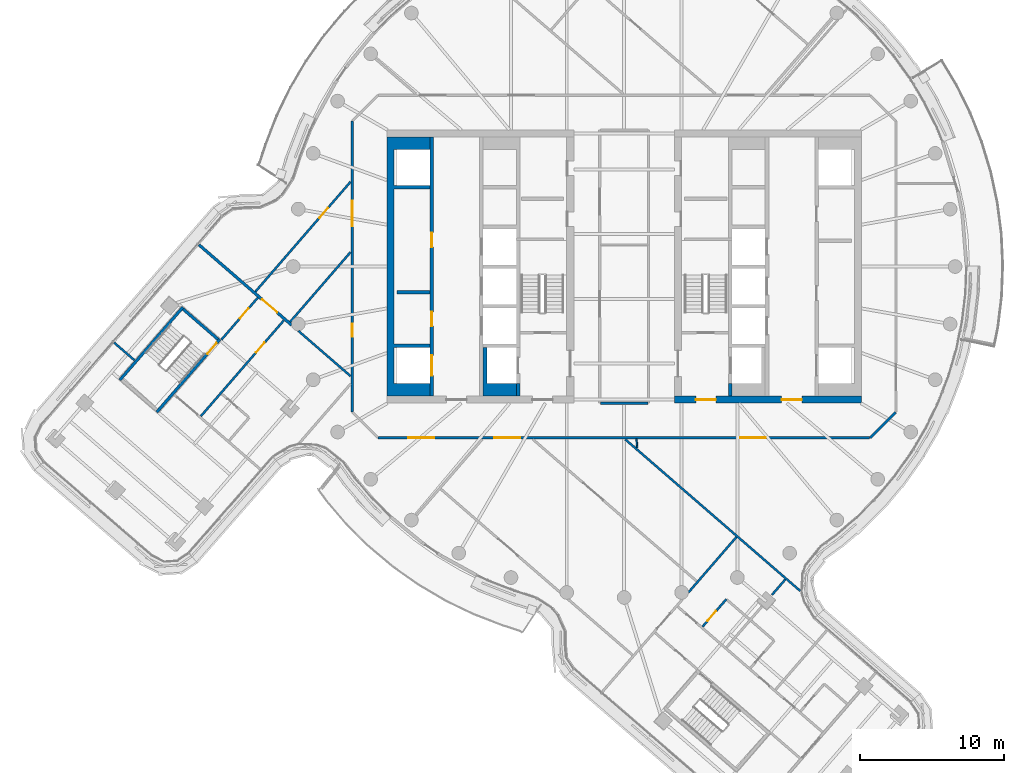
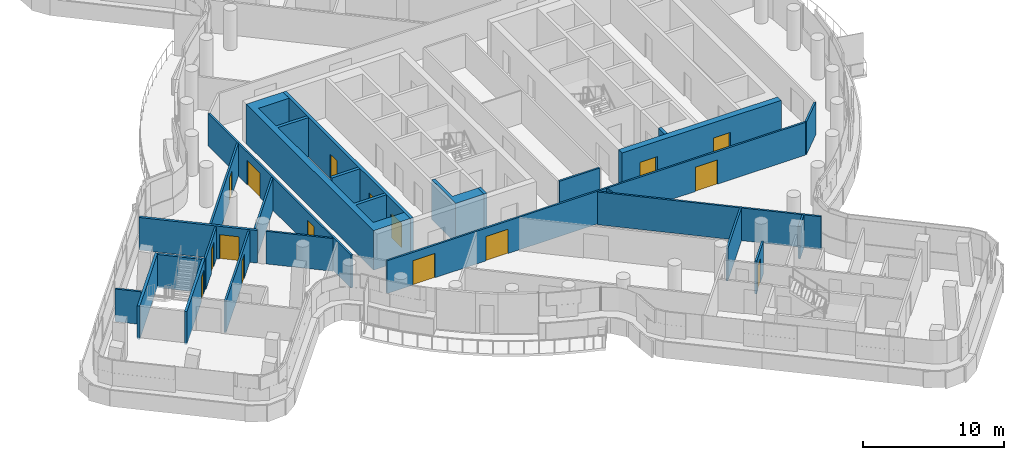
# One storey, part 20 of 32: 26 walls, 16 doors, 16 openings.
"""IFC4 building model written with IfcOpenShell, lengths in metres."""

from ifc_helpers import new_model, si_unit, direction, frame, frame_2d, origin, place, context, subcontext, project, spatial, polyline, rectangle, outline, extrude, material, layer, layer_set, type_object, element, fill, save


model = new_model("IFC4")

# Units and contexts
model_context = context("Model", 3, precision=1e-05, world=origin(), true_north=direction((0.0, 1.0)))
body_context = subcontext(model_context, "Body", "Model", "MODEL_VIEW")
ifc_project = project(units=[si_unit("LENGTHUNIT", "METRE"), si_unit("AREAUNIT", "SQUARE_METRE"), si_unit("VOLUMEUNIT", "CUBIC_METRE"), si_unit("PLANEANGLEUNIT", "RADIAN"), si_unit("MASSUNIT", "GRAM", prefix="KILO")], contexts=[model_context])

# Site, building, storey
site_placement = place(None, origin())
site = spatial("IfcSite", under=ifc_project, at=site_placement, CompositionType="ELEMENT")
building_placement = place(site_placement, origin())
building = spatial("IfcBuilding", under=site, at=building_placement, Name="Tamarind Cross Interchange Tower", CompositionType="ELEMENT")
storey_placement = place(building_placement, frame((0.0, 0.0, 211.300048828125)))
storey = spatial("IfcBuildingStorey", under=building, at=storey_placement, Name="L53", CompositionType="ELEMENT", Elevation=211.300048828125)

# Wall
ifc_material_1 = material(Name="Concrete C55", Category="concrete")
ifc_layer_1 = layer(ifc_material_1, 0.5)
ifc_layer_set_1 = layer_set([ifc_layer_1], Name="Concrete C55")
wall_type_1 = type_object("IfcWallType", Name="Core wall 500 mm Concrete C55", PredefinedType="SHEAR", material=ifc_layer_set_1)
wall_1_placement = place(storey_placement, origin())
element("IfcWall", 1, at=wall_1_placement, inside=storey, type_object=wall_type_1, Name="Core wall CWL-L53-W-A", PredefinedType="SHEAR", context=body_context, shape_type="SweptSolid", body=[
    extrude(outline(polyline([(-13.5, -8.125), (-16.0, -8.125), (-16.0, -5.625), (-13.5, -5.625), (-13.5, -5.375), (-16.0, -5.375), (-16.0, 5.375), (-13.5, 5.375), (-13.5, 5.625), (-16.0, 5.625), (-16.0, 8.125), (-13.5, 8.125), (-13.5, 9.0), (-16.0, 9.0), (-16.5, 9.0), (-16.5, -9.0), (-16.0, -9.0), (-13.5, -9.0), (-13.5, -8.125)])), origin(), (0.0, 0.0, 1.0), 3.419921875),
])

# Wall, openings, doors
wall_2_placement = place(storey_placement, frame((16.5, -9.25, 0.0), z_axis=(0.0, 0.0, 1.0), x_axis=(-1.0, 0.0, 0.0)))
wall_2 = element("IfcWall", 2, at=wall_2_placement, inside=storey, type_object=wall_type_1, Name="Core wall CWL-L53-E-S", PredefinedType="SHEAR", context=body_context, shape_type="SweptSolid", body=[
    extrude(rectangle(XDim=13.0, YDim=0.5, at=frame_2d((6.5, 0.0))), origin(), (0.0, 0.0, 1.0), 3.419921875),
])
opening_1_placement = place(wall_2_placement, frame((4.14990234375, 0.0, 0.0)))
opening_1 = element("IfcOpeningElement", 3, at=opening_1_placement, cuts=wall_2, Name="Opening DCE1", PredefinedType="OPENING", context=body_context, shape_type="SweptSolid", body=[
    extrude(rectangle(XDim=1.39990234375, YDim=2.10009765625, at=frame_2d((0.699951171875, 1.050048828125))), frame((0.0, 0.260009765625, 0.0), z_axis=(0.0, -1.0, 0.0), x_axis=(1.0, 0.0, 0.0)), (0.0, 0.0, 1.0), 0.52001953125),
])
opening_2_placement = place(wall_2_placement, frame((10.125, 0.0, 0.0)))
opening_2 = element("IfcOpeningElement", 4, at=opening_2_placement, cuts=wall_2, Name="Opening DCEF", PredefinedType="OPENING", context=body_context, shape_type="SweptSolid", body=[
    extrude(rectangle(XDim=1.39990234375, YDim=2.10009765625, at=frame_2d((0.699951171875, 1.050048828125))), frame((0.0, 0.260009765625, 0.0), z_axis=(0.0, -1.0, 0.0), x_axis=(1.0, 0.0, 0.0)), (0.0, 0.0, 1.0), 0.52001953125),
])
ifc_material_2 = material(Name="Steel, fire-resisting", Category="steel")
door_type_1 = type_object("IfcDoorType", Name="Core fire door 1400 x 2100 FD90", OperationType="SINGLE_SWING_LEFT", PredefinedType="DOOR", material=ifc_material_2)
door_1_placement = place(opening_1_placement, origin())
door_1 = element("IfcDoor", 5, at=door_1_placement, inside=storey, type_object=door_type_1, Name="L53 lift lobby door", OperationType="SINGLE_SWING_LEFT", OverallHeight=2.10009765625, OverallWidth=1.39990234375, PredefinedType="DOOR", context=body_context, shape_type="SweptSolid", body=[
    extrude(rectangle(XDim=1.39990234375, YDim=2.10009765625, at=frame_2d((0.699951171875, 1.050048828125))), frame((0.0, 0.02490234375, 0.0), z_axis=(0.0, -1.0, 0.0), x_axis=(1.0, 0.0, 0.0)), (0.0, 0.0, 1.0), 0.050048828125),
])
fill(opening_1, door_1)
door_2_placement = place(opening_2_placement, origin())
door_2 = element("IfcDoor", 6, at=door_2_placement, inside=storey, type_object=door_type_1, Name="L53 firefighting lobby end door", OperationType="SINGLE_SWING_LEFT", OverallHeight=2.10009765625, OverallWidth=1.39990234375, PredefinedType="DOOR", context=body_context, shape_type="SweptSolid", body=[
    extrude(rectangle(XDim=1.39990234375, YDim=2.10009765625, at=frame_2d((0.699951171875, 1.050048828125))), frame((0.0, 0.02490234375, 0.0), z_axis=(0.0, -1.0, 0.0), x_axis=(1.0, 0.0, 0.0)), (0.0, 0.0, 1.0), 0.050048828125),
])
fill(opening_2, door_2)

# Walls
ifc_layer_2 = layer(ifc_material_1, 0.25)
ifc_layer_set_2 = layer_set([ifc_layer_2], Name="Concrete C55")
wall_type_2 = type_object("IfcWallType", Name="Core web wall 250 mm Concrete C55", PredefinedType="SHEAR", material=ifc_layer_set_2)
wall_3_placement = place(storey_placement, origin())
element("IfcWall", 7, at=wall_3_placement, inside=storey, type_object=wall_type_2, Name="Core wall CWL-L53-W-BS", PredefinedType="SHEAR", context=body_context, shape_type="SweptSolid", body=[
    extrude(outline(polyline([(-7.5, -8.125), (-9.550048828125, -8.125), (-9.550048828125, -5.625), (-9.800048828125, -5.625), (-9.800048828125, -8.125), (-9.800048828125, -9.0), (-7.5, -9.0), (-7.5, -8.125)])), origin(), (0.0, 0.0, 1.0), 3.419921875),
])
wall_4_placement = place(storey_placement, frame((-7.375, -9.0, 0.0), z_axis=(0.0, 0.0, 1.0), x_axis=(0.0, 1.0, 0.0)))
element("IfcWall", 8, at=wall_4_placement, inside=storey, type_object=wall_type_2, Name="Core wall CWL-L53-W-BW", PredefinedType="SHEAR", context=body_context, shape_type="SweptSolid", body=[
    extrude(rectangle(XDim=0.875, YDim=0.25, at=frame_2d((0.4375, 0.0))), origin(), (0.0, 0.0, 1.0), 3.419921875),
])

# Wall, openings, doors
wall_5_placement = place(storey_placement, frame((-13.375, -9.0, 0.0), z_axis=(0.0, 0.0, 1.0), x_axis=(0.0, 1.0, 0.0)))
wall_5 = element("IfcWall", 9, at=wall_5_placement, inside=storey, type_object=wall_type_2, Name="Core wall CWL-L53-W-LA", PredefinedType="SHEAR", context=body_context, shape_type="SweptSolid", body=[
    extrude(rectangle(XDim=18.0, YDim=0.25, at=frame_2d((9.0, 0.0))), origin(), (0.0, 0.0, 1.0), 3.419921875),
])
opening_3_placement = place(wall_5_placement, frame((1.425048828125, 0.0, 0.0)))
opening_3 = element("IfcOpeningElement", 10, at=opening_3_placement, cuts=wall_5, Name="Opening LD1L53", PredefinedType="OPENING", context=body_context, shape_type="SweptSolid", body=[
    extrude(rectangle(XDim=1.39990234375, YDim=2.10009765625, at=frame_2d((0.699951171875, 1.050048828125))), frame((0.0, 0.135009765625, 0.0), z_axis=(0.0, -1.0, 0.0), x_axis=(1.0, 0.0, 0.0)), (0.0, 0.0, 1.0), 0.27001953125),
])
opening_4_placement = place(wall_5_placement, frame((4.85400390625, 0.0, 0.0)))
opening_4 = element("IfcOpeningElement", 11, at=opening_4_placement, cuts=wall_5, Name="Opening DCW9", PredefinedType="OPENING", context=body_context, shape_type="SweptSolid", body=[
    extrude(rectangle(XDim=1.0, YDim=2.10009765625, at=frame_2d((0.5, 1.050048828125))), frame((0.0, 0.135009765625, 0.0), z_axis=(0.0, -1.0, 0.0), x_axis=(1.0, 0.0, 0.0)), (0.0, 0.0, 1.0), 0.27001953125),
])
opening_5_placement = place(wall_5_placement, frame((10.35400390625, 0.0, 0.0)))
opening_5 = element("IfcOpeningElement", 12, at=opening_5_placement, cuts=wall_5, Name="Opening DCW10", PredefinedType="OPENING", context=body_context, shape_type="SweptSolid", body=[
    extrude(rectangle(XDim=1.0, YDim=2.10009765625, at=frame_2d((0.5, 1.050048828125))), frame((0.0, 0.135009765625, 0.0), z_axis=(0.0, -1.0, 0.0), x_axis=(1.0, 0.0, 0.0)), (0.0, 0.0, 1.0), 0.27001953125),
])
door_type_2 = type_object("IfcDoorType", Name="Core fire door 1000 x 2100 FD90", OperationType="SINGLE_SWING_LEFT", PredefinedType="DOOR", material=ifc_material_2)
door_3_placement = place(opening_4_placement, origin())
door_3 = element("IfcDoor", 13, at=door_3_placement, inside=storey, type_object=door_type_2, Name="L53 Staff changing room door", OperationType="SINGLE_SWING_LEFT", OverallHeight=2.10009765625, OverallWidth=1.0, PredefinedType="DOOR", context=body_context, shape_type="SweptSolid", body=[
    extrude(rectangle(XDim=1.0, YDim=2.10009765625, at=frame_2d((0.5, 1.050048828125))), frame((0.0, 0.02490234375, 0.0), z_axis=(0.0, -1.0, 0.0), x_axis=(1.0, 0.0, 0.0)), (0.0, 0.0, 1.0), 0.050048828125),
])
fill(opening_4, door_3)
door_4_placement = place(opening_5_placement, origin())
door_4 = element("IfcDoor", 14, at=door_4_placement, inside=storey, type_object=door_type_2, Name="L53 Ice and vending room door", OperationType="SINGLE_SWING_LEFT", OverallHeight=2.10009765625, OverallWidth=1.0, PredefinedType="DOOR", context=body_context, shape_type="SweptSolid", body=[
    extrude(rectangle(XDim=1.0, YDim=2.10009765625, at=frame_2d((0.5, 1.050048828125))), frame((0.0, 0.02490234375, 0.0), z_axis=(0.0, -1.0, 0.0), x_axis=(1.0, 0.0, 0.0)), (0.0, 0.0, 1.0), 0.050048828125),
])
fill(opening_5, door_4)
ifc_material_3 = material(Name="Stainless steel panel", Category="steel")
door_type_3 = type_object("IfcDoorType", Name="Lift landing door 1400 x 2100 E 120", OperationType="SLIDING_TO_LEFT", PredefinedType="DOOR", material=ifc_material_3)
door_5_placement = place(opening_3_placement, origin())
door_5 = element("IfcDoor", 15, at=door_5_placement, inside=storey, type_object=door_type_3, Name="L53 landing door LF1", OperationType="SLIDING_TO_LEFT", OverallHeight=2.10009765625, OverallWidth=1.39990234375, PredefinedType="DOOR", context=body_context, shape_type="SweptSolid", body=[
    extrude(rectangle(XDim=1.39990234375, YDim=2.10009765625, at=frame_2d((0.699951171875, 1.050048828125))), frame((0.0, 0.02490234375, 0.0), z_axis=(0.0, -1.0, 0.0), x_axis=(1.0, 0.0, 0.0)), (0.0, 0.0, 1.0), 0.050048828125),
])
fill(opening_3, door_5)

# Walls
wall_6_placement = place(storey_placement, frame((7.375, -9.0, 0.0), z_axis=(0.0, 0.0, 1.0), x_axis=(0.0, 1.0, 0.0)))
element("IfcWall", 16, at=wall_6_placement, inside=storey, type_object=wall_type_2, Name="Core wall CWL-L53-E-BW", PredefinedType="SHEAR", context=body_context, shape_type="SweptSolid", body=[
    extrude(rectangle(XDim=0.875, YDim=0.25, at=frame_2d((0.4375, 0.0))), origin(), (0.0, 0.0, 1.0), 3.419921875),
])
ifc_material_4 = material(Name="Gypsum board partition on steel studs", Category="steel")
ifc_layer_3 = layer(ifc_material_4, 0.10009765625)
ifc_layer_set_3 = layer_set([ifc_layer_3], Name="Gypsum board partition on steel studs")
wall_type_3 = type_object("IfcWallType", Name="Partition 100 mm EI 90", PredefinedType="PARTITIONING", material=ifc_layer_set_3)
wall_7_placement = place(storey_placement, frame((0.8583984375, -11.959716796875, 0.0), z_axis=(0.0, 0.0, 1.0), x_axis=(0.071301243395, -0.997454827393, 0.0)))
element("IfcWall", 17, at=wall_7_placement, inside=storey, type_object=wall_type_3, Name="Partition L53-001", PredefinedType="PARTITIONING", context=body_context, shape_type="SweptSolid", body=[
    extrude(rectangle(XDim=0.640380859375, YDim=0.10009765625, at=frame_2d((0.3203125, 0.0))), origin(), (0.0, 0.0, 1.0), 2.823974609375),
])
ifc_layer_4 = layer(ifc_material_4, 0.14990234375)
ifc_layer_set_4 = layer_set([ifc_layer_4], Name="Gypsum board partition on steel studs")
wall_type_4 = type_object("IfcWallType", Name="Partition 150 mm EI 120", PredefinedType="PARTITIONING", material=ifc_layer_set_4)
wall_8_placement = place(storey_placement, frame((-35.443115234375, -5.289794921875, 0.0), z_axis=(0.0, 0.0, 1.0), x_axis=(0.755806088391, -0.654795507583, 0.0)))
element("IfcWall", 18, at=wall_8_placement, inside=storey, type_object=wall_type_4, Name="Partition L53-004", PredefinedType="PARTITIONING", context=body_context, shape_type="SweptSolid", body=[
    extrude(rectangle(XDim=1.858642578125, YDim=0.14990234375, at=frame_2d((0.92919921875, 0.0))), origin(), (0.0, 0.0, 1.0), 2.820068359375),
])
wall_9_placement = place(storey_placement, frame((-22.6376953125, -4.4755859375, 0.0), z_axis=(0.0, 0.0, 1.0), x_axis=(0.755838297059, -0.654758328468, 0.0)))
element("IfcWall", 19, at=wall_9_placement, inside=storey, type_object=wall_type_4, Name="Partition L53-007", PredefinedType="PARTITIONING", context=body_context, shape_type="SweptSolid", body=[
    extrude(rectangle(XDim=4.803955078125, YDim=0.14990234375, at=frame_2d((2.40185546875, 0.0))), origin(), (0.0, 0.0, 1.0), 2.823974609375),
])
wall_10_placement = place(storey_placement, frame((0.079345703125, -12.0146484375, 0.0), z_axis=(0.0, 0.0, 1.0), x_axis=(0.75590683431, -0.654679202238, 0.0)))
element("IfcWall", 20, at=wall_10_placement, inside=storey, type_object=wall_type_4, Name="Partition L53-022", PredefinedType="PARTITIONING", context=body_context, shape_type="SweptSolid", body=[
    extrude(rectangle(XDim=16.089111328125, YDim=0.14990234375, at=frame_2d((8.04443359375, 0.0))), origin(), (0.0, 0.0, 1.0), 2.823974609375),
])

# Wall, openings, doors
wall_11_placement = place(storey_placement, frame((-17.10009765625, -11.89990234375, 0.0), z_axis=(0.0, 0.0, 1.0), x_axis=(1.0, 0.0, 0.0)))
wall_11 = element("IfcWall", 21, at=wall_11_placement, inside=storey, type_object=wall_type_4, Name="Partition L53-028", PredefinedType="PARTITIONING", context=body_context, shape_type="SweptSolid", body=[
    extrude(rectangle(XDim=34.1650390625, YDim=0.14990234375, at=frame_2d((17.08251953125, 0.0))), origin(), (0.0, 0.0, 1.0), 2.823974609375),
])
opening_6_placement = place(wall_11_placement, frame((8.076904296875, 0.0, 0.0)))
opening_6 = element("IfcOpeningElement", 22, at=opening_6_placement, cuts=wall_11, Name="Opening D19", PredefinedType="OPENING", context=body_context, shape_type="SweptSolid", body=[
    extrude(rectangle(XDim=1.800048828125, YDim=2.10009765625, at=frame_2d((0.89990234375, 1.050048828125))), frame((0.0, 0.0849609375, 0.0), z_axis=(0.0, -1.0, 0.0), x_axis=(1.0, 0.0, 0.0)), (0.0, 0.0, 1.0), 0.169921875),
])
opening_7_placement = place(wall_11_placement, frame((2.10009765625, 0.0, 0.0)))
opening_7 = element("IfcOpeningElement", 23, at=opening_7_placement, cuts=wall_11, Name="Opening D20", PredefinedType="OPENING", context=body_context, shape_type="SweptSolid", body=[
    extrude(rectangle(XDim=1.800048828125, YDim=2.10009765625, at=frame_2d((0.89990234375, 1.050048828125))), frame((0.0, 0.0849609375, 0.0), z_axis=(0.0, -1.0, 0.0), x_axis=(1.0, 0.0, 0.0)), (0.0, 0.0, 1.0), 0.169921875),
])
opening_8_placement = place(wall_11_placement, frame((25.154052734375, 0.0, 0.0)))
opening_8 = element("IfcOpeningElement", 24, at=opening_8_placement, cuts=wall_11, Name="Opening D21", PredefinedType="OPENING", context=body_context, shape_type="SweptSolid", body=[
    extrude(rectangle(XDim=1.800048828125, YDim=2.10009765625, at=frame_2d((0.89990234375, 1.050048828125))), frame((0.0, 0.0849609375, 0.0), z_axis=(0.0, -1.0, 0.0), x_axis=(1.0, 0.0, 0.0)), (0.0, 0.0, 1.0), 0.169921875),
])
ifc_material_5 = material(Name="Fire-resisting door set")
door_type_4 = type_object("IfcDoorType", Name="Interior door 1800 x 2100 FD60S", OperationType="DOUBLE_DOOR_SINGLE_SWING", PredefinedType="DOOR", material=ifc_material_5)
door_6_placement = place(opening_6_placement, origin())
door_6 = element("IfcDoor", 25, at=door_6_placement, inside=storey, type_object=door_type_4, Name="Door D19", OperationType="DOUBLE_DOOR_SINGLE_SWING", OverallHeight=2.10009765625, OverallWidth=1.800048828125, PredefinedType="DOOR", context=body_context, shape_type="SweptSolid", body=[
    extrude(rectangle(XDim=1.800048828125, YDim=2.10009765625, at=frame_2d((0.89990234375, 1.050048828125))), frame((0.0, 0.02490234375, 0.0), z_axis=(0.0, -1.0, 0.0), x_axis=(1.0, 0.0, 0.0)), (0.0, 0.0, 1.0), 0.050048828125),
])
fill(opening_6, door_6)
door_7_placement = place(opening_7_placement, frame((1.800048828125, 0.0, 0.0), z_axis=(0.0, 0.0, 1.0), x_axis=(-1.0, 0.0, 0.0)))
door_7 = element("IfcDoor", 26, at=door_7_placement, inside=storey, type_object=door_type_4, Name="Door D20", OperationType="DOUBLE_DOOR_SINGLE_SWING", OverallHeight=2.10009765625, OverallWidth=1.800048828125, PredefinedType="DOOR", context=body_context, shape_type="SweptSolid", body=[
    extrude(rectangle(XDim=1.800048828125, YDim=2.10009765625, at=frame_2d((0.89990234375, 1.050048828125))), frame((0.0, 0.02490234375, 0.0), z_axis=(0.0, -1.0, 0.0), x_axis=(1.0, 0.0, 0.0)), (0.0, 0.0, 1.0), 0.050048828125),
])
fill(opening_7, door_7)
door_8_placement = place(opening_8_placement, origin())
door_8 = element("IfcDoor", 27, at=door_8_placement, inside=storey, type_object=door_type_4, Name="Door D21", OperationType="DOUBLE_DOOR_SINGLE_SWING", OverallHeight=2.10009765625, OverallWidth=1.800048828125, PredefinedType="DOOR", context=body_context, shape_type="SweptSolid", body=[
    extrude(rectangle(XDim=1.800048828125, YDim=2.10009765625, at=frame_2d((0.89990234375, 1.050048828125))), frame((0.0, 0.02490234375, 0.0), z_axis=(0.0, -1.0, 0.0), x_axis=(1.0, 0.0, 0.0)), (0.0, 0.0, 1.0), 0.050048828125),
])
fill(opening_8, door_8)

# Walls
wall_12_placement = place(storey_placement, frame((-1.639892578125, -9.5, 0.0), z_axis=(0.0, 0.0, 1.0), x_axis=(1.0, 0.0, 0.0)))
element("IfcWall", 28, at=wall_12_placement, inside=storey, type_object=wall_type_4, Name="Partition L53-030", PredefinedType="PARTITIONING", context=body_context, shape_type="SweptSolid", body=[
    extrude(rectangle(XDim=3.27978515625, YDim=0.14990234375, at=frame_2d((1.639892578125, 0.0))), origin(), (0.0, 0.0, 1.0), 2.823974609375),
])
wall_13_placement = place(storey_placement, frame((17.10009765625, -11.89990234375, 0.0), z_axis=(0.0, 0.0, 1.0), x_axis=(0.707106781187, 0.707106781187, 0.0)))
element("IfcWall", 29, at=wall_13_placement, inside=storey, type_object=wall_type_4, Name="Partition L53-035", PredefinedType="PARTITIONING", context=body_context, shape_type="SweptSolid", body=[
    extrude(rectangle(XDim=2.50537109375, YDim=0.14990234375, at=frame_2d((1.252685546875, 0.0))), origin(), (0.0, 0.0, 1.0), 2.823974609375),
])

# Wall, opening, door
wall_14_placement = place(storey_placement, frame((-29.420654296875, -10.400390625, 0.0), z_axis=(0.0, 0.0, 1.0), x_axis=(0.65486716171, 0.755744004617, 0.0)))
wall_14 = element("IfcWall", 30, at=wall_14_placement, inside=storey, type_object=wall_type_4, Name="Partition L53-036", PredefinedType="PARTITIONING", context=body_context, shape_type="SweptSolid", body=[
    extrude(rectangle(XDim=8.7998046875, YDim=0.14990234375, at=frame_2d((4.39990234375, 0.0))), origin(), (0.0, 0.0, 1.0), 2.719970703125),
])
opening_9_placement = place(wall_14_placement, frame((5.87060546875, 0.0, 0.0)))
opening_9 = element("IfcOpeningElement", 31, at=opening_9_placement, cuts=wall_14, Name="Opening D26", PredefinedType="OPENING", context=body_context, shape_type="SweptSolid", body=[
    extrude(rectangle(XDim=0.89990234375, YDim=2.10009765625, at=frame_2d((0.449951171875, 1.050048828125))), frame((0.0, 0.0849609375, 0.0), z_axis=(0.0, -1.0, 0.0), x_axis=(1.0, 0.0, 0.0)), (0.0, 0.0, 1.0), 0.169921875),
])
door_type_5 = type_object("IfcDoorType", Name="Interior door 900 x 2100 FD60S", OperationType="SINGLE_SWING_LEFT", PredefinedType="DOOR", material=ifc_material_5)
door_9_placement = place(opening_9_placement, frame((0.89990234375, 0.0, 0.0), z_axis=(0.0, 0.0, 1.0), x_axis=(-1.0, 0.0, 0.0)))
door_9 = element("IfcDoor", 32, at=door_9_placement, inside=storey, type_object=door_type_5, Name="Door D26", OperationType="SINGLE_SWING_RIGHT", OverallHeight=2.10009765625, OverallWidth=0.89990234375, PredefinedType="DOOR", context=body_context, shape_type="SweptSolid", body=[
    extrude(rectangle(XDim=0.89990234375, YDim=2.10009765625, at=frame_2d((0.449951171875, 1.050048828125))), frame((0.0, 0.02490234375, 0.0), z_axis=(0.0, -1.0, 0.0), x_axis=(1.0, 0.0, 0.0)), (0.0, 0.0, 1.0), 0.050048828125),
])
fill(opening_9, door_9)

wall_15_placement = place(storey_placement, frame((-27.98779296875, -5.080810546875, 0.0), z_axis=(0.0, 0.0, 1.0), x_axis=(0.654668065935, 0.755916479146, 0.0)))
wall_15 = element("IfcWall", 33, at=wall_15_placement, inside=storey, type_object=wall_type_4, Name="Partition L53-037", PredefinedType="PARTITIONING", context=body_context, shape_type="SweptSolid", body=[
    extrude(rectangle(XDim=3.860595703125, YDim=0.14990234375, at=frame_2d((1.93017578125, 0.0))), origin(), (0.0, 0.0, 1.0), 2.719970703125),
])
opening_10_placement = place(wall_15_placement, frame((1.949951171875, 0.0, 0.0)))
opening_10 = element("IfcOpeningElement", 34, at=opening_10_placement, cuts=wall_15, Name="Opening D27", PredefinedType="OPENING", context=body_context, shape_type="SweptSolid", body=[
    extrude(rectangle(XDim=0.89990234375, YDim=2.10009765625, at=frame_2d((0.449951171875, 1.050048828125))), frame((0.0, 0.0849609375, 0.0), z_axis=(0.0, -1.0, 0.0), x_axis=(1.0, 0.0, 0.0)), (0.0, 0.0, 1.0), 0.169921875),
])
door_10_placement = place(opening_10_placement, origin())
door_10 = element("IfcDoor", 35, at=door_10_placement, inside=storey, type_object=door_type_5, Name="Door D27", OperationType="SINGLE_SWING_LEFT", OverallHeight=2.10009765625, OverallWidth=0.89990234375, PredefinedType="DOOR", context=body_context, shape_type="SweptSolid", body=[
    extrude(rectangle(XDim=0.89990234375, YDim=2.10009765625, at=frame_2d((0.449951171875, 1.050048828125))), frame((0.0, 0.02490234375, 0.0), z_axis=(0.0, -1.0, 0.0), x_axis=(1.0, 0.0, 0.0)), (0.0, 0.0, 1.0), 0.050048828125),
])
fill(opening_10, door_10)

wall_16_placement = place(storey_placement, frame((-25.631591796875, -1.74951171875, 0.0), z_axis=(0.0, 0.0, 1.0), x_axis=(0.65467576909, 0.755909807693, 0.0)))
wall_16 = element("IfcWall", 36, at=wall_16_placement, inside=storey, type_object=wall_type_4, Name="Partition L53-039", PredefinedType="PARTITIONING", context=body_context, shape_type="SweptSolid", body=[
    extrude(rectangle(XDim=10.107177734375, YDim=0.14990234375, at=frame_2d((5.0537109375, 0.0))), origin(), (0.0, 0.0, 1.0), 2.823974609375),
])
opening_11_placement = place(wall_16_placement, frame((6.800048828125, 0.0, 0.0)))
opening_11 = element("IfcOpeningElement", 37, at=opening_11_placement, cuts=wall_16, Name="Opening D28", PredefinedType="OPENING", context=body_context, shape_type="SweptSolid", body=[
    extrude(rectangle(XDim=0.89990234375, YDim=2.10009765625, at=frame_2d((0.449951171875, 1.050048828125))), frame((0.0, 0.0849609375, 0.0), z_axis=(0.0, -1.0, 0.0), x_axis=(1.0, 0.0, 0.0)), (0.0, 0.0, 1.0), 0.169921875),
])
door_11_placement = place(opening_11_placement, origin())
door_11 = element("IfcDoor", 38, at=door_11_placement, inside=storey, type_object=door_type_5, Name="Door D28", OperationType="SINGLE_SWING_LEFT", OverallHeight=2.10009765625, OverallWidth=0.89990234375, PredefinedType="DOOR", context=body_context, shape_type="SweptSolid", body=[
    extrude(rectangle(XDim=0.89990234375, YDim=2.10009765625, at=frame_2d((0.449951171875, 1.050048828125))), frame((0.0, 0.02490234375, 0.0), z_axis=(0.0, -1.0, 0.0), x_axis=(1.0, 0.0, 0.0)), (0.0, 0.0, 1.0), 0.050048828125),
])
fill(opening_11, door_11)

# Walls
wall_17_placement = place(storey_placement, frame((-23.21240234375, -3.844482421875, 0.0), z_axis=(0.0, 0.0, 1.0), x_axis=(0.654652183263, 0.755930234181, 0.0)))
element("IfcWall", 39, at=wall_17_placement, inside=storey, type_object=wall_type_4, Name="Partition L53-040", PredefinedType="PARTITIONING", context=body_context, shape_type="SweptSolid", body=[
    extrude(rectangle(XDim=6.412109375, YDim=0.14990234375, at=frame_2d((3.2060546875, 0.0))), origin(), (0.0, 0.0, 1.0), 2.820068359375),
])
wall_18_placement = place(storey_placement, frame((4.4755859375, -22.6376953125, 0.0), z_axis=(0.0, 0.0, 1.0), x_axis=(0.654754589799, 0.755841535732, 0.0)))
element("IfcWall", 40, at=wall_18_placement, inside=storey, type_object=wall_type_4, Name="Partition L53-055", PredefinedType="PARTITIONING", context=body_context, shape_type="SweptSolid", body=[
    extrude(rectangle(XDim=5.07177734375, YDim=0.14990234375, at=frame_2d((2.535888671875, 0.0))), origin(), (0.0, 0.0, 1.0), 2.823974609375),
])

# Wall, opening, door
wall_19_placement = place(storey_placement, frame((5.449462890625, -25.025390625, 0.0), z_axis=(0.0, 0.0, 1.0), x_axis=(0.654764510889, 0.755832941384, 0.0)))
wall_19 = element("IfcWall", 41, at=wall_19_placement, inside=storey, type_object=wall_type_4, Name="Partition L53-056", PredefinedType="PARTITIONING", context=body_context, shape_type="SweptSolid", body=[
    extrude(rectangle(XDim=2.51953125, YDim=0.14990234375, at=frame_2d((1.259765625, 0.0))), origin(), (0.0, 0.0, 1.0), 2.823974609375),
])
opening_12_placement = place(wall_19_placement, frame((0.52001953125, 0.0, 0.0)))
opening_12 = element("IfcOpeningElement", 42, at=opening_12_placement, cuts=wall_19, Name="Opening D34", PredefinedType="OPENING", context=body_context, shape_type="SweptSolid", body=[
    extrude(rectangle(XDim=0.89990234375, YDim=2.10009765625, at=frame_2d((0.449951171875, 1.050048828125))), frame((0.0, 0.0849609375, 0.0), z_axis=(0.0, -1.0, 0.0), x_axis=(1.0, 0.0, 0.0)), (0.0, 0.0, 1.0), 0.169921875),
])
door_12_placement = place(opening_12_placement, frame((0.89990234375, 0.0, 0.0), z_axis=(0.0, 0.0, 1.0), x_axis=(-1.0, 0.0, 0.0)))
door_12 = element("IfcDoor", 43, at=door_12_placement, inside=storey, type_object=door_type_5, Name="Door D34", OperationType="SINGLE_SWING_LEFT", OverallHeight=2.10009765625, OverallWidth=0.89990234375, PredefinedType="DOOR", context=body_context, shape_type="SweptSolid", body=[
    extrude(rectangle(XDim=0.89990234375, YDim=2.10009765625, at=frame_2d((0.449951171875, 1.050048828125))), frame((0.0, 0.02490234375, 0.0), z_axis=(0.0, -1.0, 0.0), x_axis=(1.0, 0.0, 0.0)), (0.0, 0.0, 1.0), 0.050048828125),
])
fill(opening_12, door_12)

# Wall
wall_20_placement = place(storey_placement, frame((10.27001953125, -22.819091796875, 0.0), z_axis=(0.0, 0.0, 1.0), x_axis=(0.654589089337, 0.755984870299, 0.0)))
element("IfcWall", 44, at=wall_20_placement, inside=storey, type_object=wall_type_4, Name="Partition L53-058", PredefinedType="PARTITIONING", context=body_context, shape_type="SweptSolid", body=[
    extrude(rectangle(XDim=1.415771484375, YDim=0.14990234375, at=frame_2d((0.7080078125, 0.0))), origin(), (0.0, 0.0, 1.0), 2.823974609375),
])

# Wall, openings, doors
wall_21_placement = place(storey_placement, frame((-18.89990234375, -10.10009765625, 0.0), z_axis=(0.0, 0.0, 1.0), x_axis=(0.0, 1.0, 0.0)))
wall_21 = element("IfcWall", 45, at=wall_21_placement, inside=storey, type_object=wall_type_4, Name="Partition L53-068", PredefinedType="PARTITIONING", context=body_context, shape_type="SweptSolid", body=[
    extrude(rectangle(XDim=20.2001953125, YDim=0.14990234375, at=frame_2d((10.10009765625, 0.0))), origin(), (0.0, 0.0, 1.0), 2.823974609375),
])
opening_13_placement = place(wall_21_placement, frame((12.885009765625, 0.0, 0.0)))
opening_13 = element("IfcOpeningElement", 46, at=opening_13_placement, cuts=wall_21, Name="Opening D38", PredefinedType="OPENING", context=body_context, shape_type="SweptSolid", body=[
    extrude(rectangle(XDim=1.800048828125, YDim=2.10009765625, at=frame_2d((0.89990234375, 1.050048828125))), frame((0.0, 0.0849609375, 0.0), z_axis=(0.0, -1.0, 0.0), x_axis=(1.0, 0.0, 0.0)), (0.0, 0.0, 1.0), 0.169921875),
])
opening_14_placement = place(wall_21_placement, frame((5.238037109375, 0.0, 0.0)))
opening_14 = element("IfcOpeningElement", 47, at=opening_14_placement, cuts=wall_21, Name="Opening D39", PredefinedType="OPENING", context=body_context, shape_type="SweptSolid", body=[
    extrude(rectangle(XDim=0.89990234375, YDim=2.10009765625, at=frame_2d((0.449951171875, 1.050048828125))), frame((0.0, 0.0849609375, 0.0), z_axis=(0.0, -1.0, 0.0), x_axis=(1.0, 0.0, 0.0)), (0.0, 0.0, 1.0), 0.169921875),
])
door_13_placement = place(opening_13_placement, frame((1.800048828125, 0.0, 0.0), z_axis=(0.0, 0.0, 1.0), x_axis=(-1.0, 0.0, 0.0)))
door_13 = element("IfcDoor", 48, at=door_13_placement, inside=storey, type_object=door_type_4, Name="Door D38", OperationType="DOUBLE_DOOR_SINGLE_SWING", OverallHeight=2.10009765625, OverallWidth=1.800048828125, PredefinedType="DOOR", context=body_context, shape_type="SweptSolid", body=[
    extrude(rectangle(XDim=1.800048828125, YDim=2.10009765625, at=frame_2d((0.89990234375, 1.050048828125))), frame((0.0, 0.02490234375, 0.0), z_axis=(0.0, -1.0, 0.0), x_axis=(1.0, 0.0, 0.0)), (0.0, 0.0, 1.0), 0.050048828125),
])
fill(opening_13, door_13)
door_14_placement = place(opening_14_placement, origin())
door_14 = element("IfcDoor", 49, at=door_14_placement, inside=storey, type_object=door_type_5, Name="Door D39", OperationType="SINGLE_SWING_RIGHT", OverallHeight=2.10009765625, OverallWidth=0.89990234375, PredefinedType="DOOR", context=body_context, shape_type="SweptSolid", body=[
    extrude(rectangle(XDim=0.89990234375, YDim=2.10009765625, at=frame_2d((0.449951171875, 1.050048828125))), frame((0.0, 0.02490234375, 0.0), z_axis=(0.0, -1.0, 0.0), x_axis=(1.0, 0.0, 0.0)), (0.0, 0.0, 1.0), 0.050048828125),
])
fill(opening_14, door_14)

# Wall, opening, door
ifc_layer_5 = layer(ifc_material_4, 0.199951171875)
ifc_layer_set_5 = layer_set([ifc_layer_5], Name="Gypsum board partition on steel studs")
wall_type_5 = type_object("IfcWallType", Name="Partition 200 mm EI 180", PredefinedType="PARTITIONING", material=ifc_layer_set_5)
wall_22_placement = place(storey_placement, frame((-29.551513671875, 1.513427734375, 0.0), z_axis=(0.0, 0.0, 1.0), x_axis=(0.755865087151, -0.65472740131, 0.0)))
wall_22 = element("IfcWall", 50, at=wall_22_placement, inside=storey, type_object=wall_type_5, Name="Partition L53-006", PredefinedType="PARTITIONING", context=body_context, shape_type="SweptSolid", body=[
    extrude(rectangle(XDim=8.511474609375, YDim=0.199951171875, at=frame_2d((4.255859375, 0.0))), origin(), (0.0, 0.0, 1.0), 2.820068359375),
])
opening_15_placement = place(wall_22_placement, frame((5.799072265625, 0.0, 0.0)))
opening_15 = element("IfcOpeningElement", 51, at=opening_15_placement, cuts=wall_22, Name="Opening D02", PredefinedType="OPENING", context=body_context, shape_type="SweptSolid", body=[
    extrude(rectangle(XDim=1.39990234375, YDim=2.10009765625, at=frame_2d((0.699951171875, 1.050048828125))), frame((0.0, 0.10986328125, 0.0), z_axis=(0.0, -1.0, 0.0), x_axis=(1.0, 0.0, 0.0)), (0.0, 0.0, 1.0), 0.219970703125),
])
door_type_6 = type_object("IfcDoorType", Name="Interior door 1400 x 2100 FD120S", OperationType="DOUBLE_DOOR_SINGLE_SWING", PredefinedType="DOOR", material=ifc_material_5)
door_15_placement = place(opening_15_placement, origin())
door_15 = element("IfcDoor", 52, at=door_15_placement, inside=storey, type_object=door_type_6, Name="Door D02", OperationType="DOUBLE_DOOR_SINGLE_SWING", OverallHeight=2.10009765625, OverallWidth=1.39990234375, PredefinedType="DOOR", context=body_context, shape_type="SweptSolid", body=[
    extrude(rectangle(XDim=1.39990234375, YDim=2.10009765625, at=frame_2d((0.699951171875, 1.050048828125))), frame((0.0, 0.02490234375, 0.0), z_axis=(0.0, -1.0, 0.0), x_axis=(1.0, 0.0, 0.0)), (0.0, 0.0, 1.0), 0.050048828125),
])
fill(opening_15, door_15)

# Wall
ifc_material_6 = material(Name="Concrete C40", Category="concrete")
ifc_layer_6 = layer(ifc_material_6, 0.25)
ifc_layer_set_6 = layer_set([ifc_layer_6], Name="Concrete C40")
wall_type_6 = type_object("IfcWallType", Name="Shaft and lobby wall 250 mm Concrete C40", PredefinedType="PARTITIONING", material=ifc_layer_set_6)
wall_23_placement = place(storey_placement, frame((-15.800048828125, -1.7919921875, 0.0), z_axis=(0.0, 0.0, 1.0), x_axis=(1.0, 0.0, 0.0)))
element("IfcWall", 53, at=wall_23_placement, inside=storey, type_object=wall_type_6, Name="Shaft wall CWL-L53-W-FPA1", PredefinedType="PARTITIONING", context=body_context, shape_type="SweptSolid", body=[
    extrude(rectangle(XDim=2.300048828125, YDim=0.25, at=frame_2d((1.14990234375, 0.0))), origin(), (0.0, 0.0, 1.0), 3.419921875),
])

# Wall, opening, door
ifc_layer_7 = layer(ifc_material_6, 0.199951171875)
ifc_layer_set_7 = layer_set([ifc_layer_7], Name="Concrete C40")
wall_type_7 = type_object("IfcWallType", Name="Stair shaft wall 200 mm Concrete C40", PredefinedType="SHEAR", material=ifc_layer_set_7)
wall_24_placement = place(storey_placement, frame((-28.089111328125, -5.045166015625, -0.14013671875), z_axis=(0.0, 0.0, 1.0), x_axis=(-0.654678012674, -0.755907864572, 0.0)))
wall_24 = element("IfcWall", 54, at=wall_24_placement, inside=storey, type_object=wall_type_7, Name="Core wall CWL-L53-ST5-H", PredefinedType="SHEAR", context=body_context, shape_type="SweptSolid", body=[
    extrude(rectangle(XDim=6.69970703125, YDim=0.199951171875, at=frame_2d((3.349853515625, 0.0))), origin(), (0.0, 0.0, 1.0), 2.860107421875),
])
opening_16_placement = place(wall_24_placement, frame((0.35009765625, 0.0, 0.0)))
opening_16 = element("IfcOpeningElement", 55, at=opening_16_placement, cuts=wall_24, Name="Opening ST5L53", PredefinedType="OPENING", context=body_context, shape_type="SweptSolid", body=[
    extrude(rectangle(XDim=1.0, YDim=2.10009765625, at=frame_2d((0.5, 1.050048828125))), frame((0.0, 0.10986328125, 0.0), z_axis=(0.0, -1.0, 0.0), x_axis=(1.0, 0.0, 0.0)), (0.0, 0.0, 1.0), 0.219970703125),
])
door_16_placement = place(opening_16_placement, origin())
door_16 = element("IfcDoor", 56, at=door_16_placement, inside=storey, type_object=door_type_2, Name="L53 stair door ST5", OperationType="SINGLE_SWING_LEFT", OverallHeight=2.10009765625, OverallWidth=1.0, PredefinedType="DOOR", context=body_context, shape_type="SweptSolid", body=[
    extrude(rectangle(XDim=1.0, YDim=2.10009765625, at=frame_2d((0.5, 1.050048828125))), frame((0.0, 0.02490234375, 0.0), z_axis=(0.0, -1.0, 0.0), x_axis=(1.0, 0.0, 0.0)), (0.0, 0.0, 1.0), 0.050048828125),
])
fill(opening_16, door_16)

# Walls
wall_25_placement = place(storey_placement, frame((-30.6591796875, -2.819091796875, -0.14013671875), z_axis=(0.0, 0.0, 1.0), x_axis=(-0.654659979777, -0.755923482159, 0.0)))
element("IfcWall", 57, at=wall_25_placement, inside=storey, type_object=wall_type_7, Name="Core wall CWL-L53-ST5-C", PredefinedType="SHEAR", context=body_context, shape_type="SweptSolid", body=[
    extrude(rectangle(XDim=6.699951171875, YDim=0.199951171875, at=frame_2d((3.35009765625, 0.0))), origin(), (0.0, 0.0, 1.0), 2.860107421875),
])
wall_26_placement = place(storey_placement, frame((-30.649169921875, -2.960205078125, -0.14013671875), z_axis=(0.0, 0.0, 1.0), x_axis=(0.755913077251, -0.654671993933, 0.0)))
element("IfcWall", 58, at=wall_26_placement, inside=storey, type_object=wall_type_7, Name="Core wall CWL-L53-ST5-CE", PredefinedType="SHEAR", context=body_context, shape_type="SweptSolid", body=[
    extrude(rectangle(XDim=3.199951171875, YDim=0.199951171875, at=frame_2d((1.60009765625, 0.0))), origin(), (0.0, 0.0, 1.0), 2.860107421875),
])

save(model, "model.ifc")
